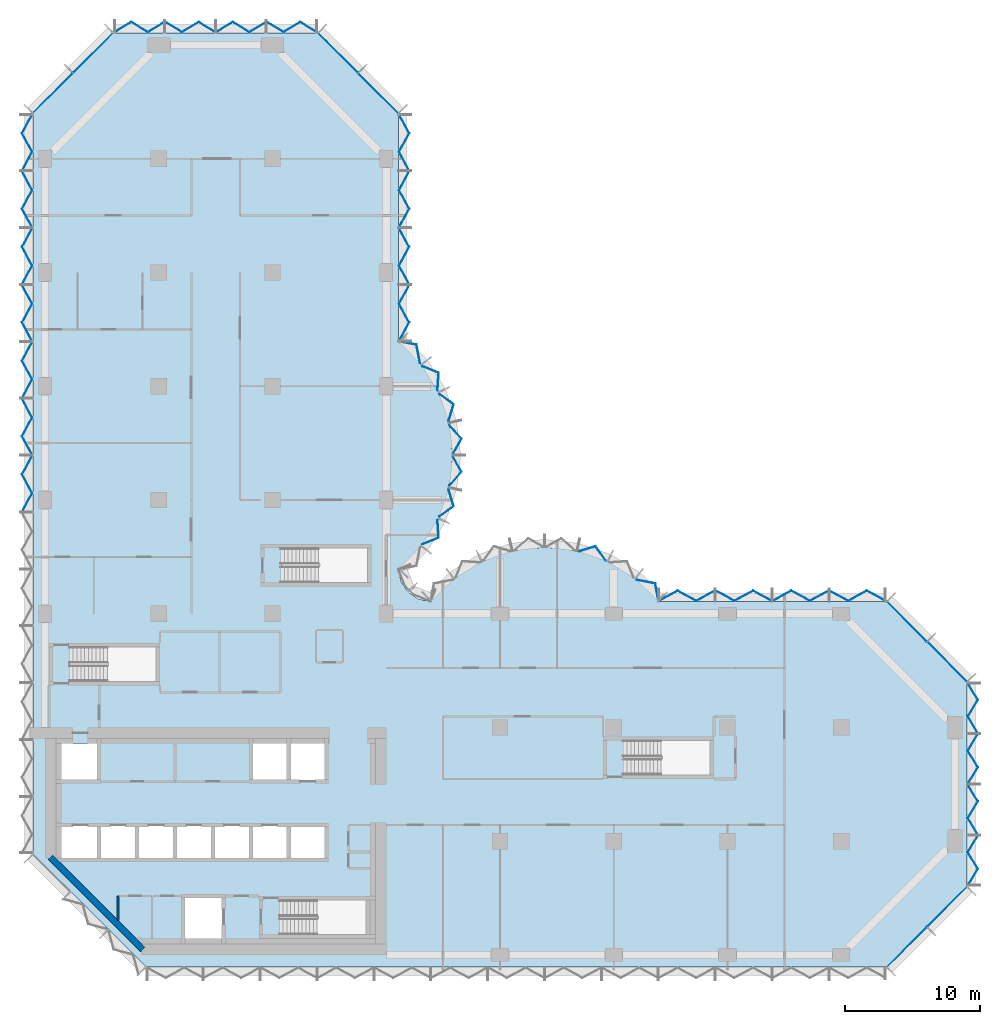
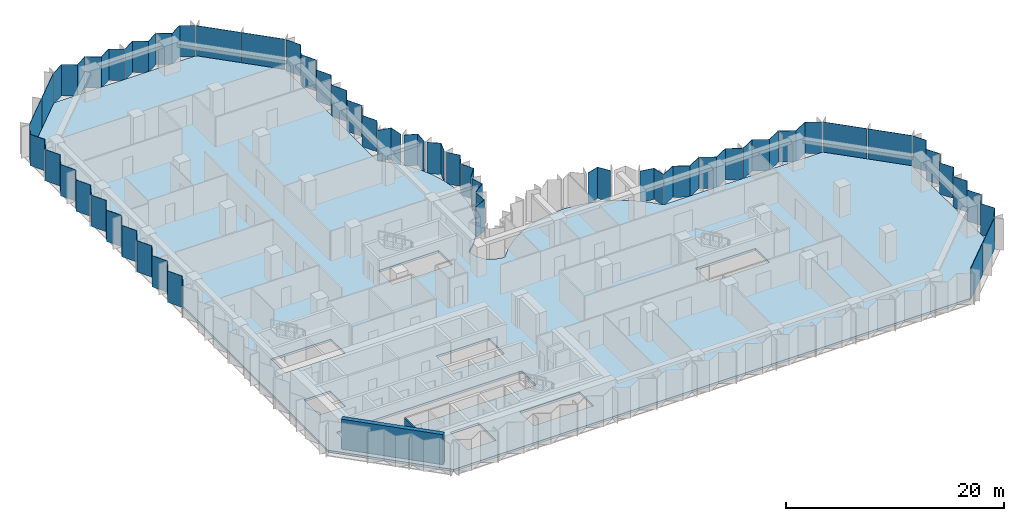
# One storey, part 6 of 13: 40 plates, 2 walls, 1 slab, 11 elements without a shape of their own.
"""IFC4 building model written with IfcOpenShell, lengths in metres."""

from ifc_helpers import new_model, si_unit, direction, frame, frame_2d, origin, place, context, subcontext, project, spatial, polyline, rectangle, outline, extrude, material, layer, layer_set, type_object, element, aggregate, save


model = new_model("IFC4")

# Units and contexts
model_context = context("Model", 3, precision=1e-05, world=origin(), true_north=direction((0.0, 1.0)))
body_context = subcontext(model_context, "Body", "Model", "MODEL_VIEW")
ifc_project = project(units=[si_unit("LENGTHUNIT", "METRE"), si_unit("AREAUNIT", "SQUARE_METRE"), si_unit("VOLUMEUNIT", "CUBIC_METRE"), si_unit("PLANEANGLEUNIT", "RADIAN"), si_unit("MASSUNIT", "GRAM", prefix="KILO")], contexts=[model_context])

# Site, building, storey
site_placement = place(None, origin())
site = spatial("IfcSite", under=ifc_project, at=site_placement, CompositionType="ELEMENT")
building_placement = place(site_placement, origin())
building = spatial("IfcBuilding", under=site, at=building_placement, Name="Brevane Broadcast Tower", CompositionType="ELEMENT")
storey_placement = place(building_placement, frame((0.0, 0.0, 113.300048828125)))
storey = spatial("IfcBuildingStorey", under=building, at=storey_placement, Name="L27", CompositionType="ELEMENT", Elevation=113.300048828125)

# Curtain wall, plates
ifc_material_1 = material(Name="Aluminium 6063-T6 bronze anodised", Category="aluminium")
curtain_wall_type = type_object("IfcCurtainWallType", Name="CW-1 curtain wall", PredefinedType="NOTDEFINED", material=ifc_material_1)
curtain_wall_1_placement = place(storey_placement, origin())
curtain_wall_1 = element("IfcCurtainWall", 1, at=curtain_wall_1_placement, inside=storey, type_object=curtain_wall_type, Name="CW-1 typical tilted unit L27 south-east chamfer", PredefinedType="NOTDEFINED")
ifc_material_2 = material(Name="Laminated glass bronze-tinted", Category="glass")
ifc_layer_1 = layer(ifc_material_2, 0.0400390625)
ifc_layer_set_1 = layer_set([ifc_layer_1], Name="CW tall glass panel 40")
plate_type = type_object("IfcPlateType", Name="CW tall glass panel 40", PredefinedType="CURTAIN_PANEL", material=ifc_layer_set_1)
plate_1_placement = place(storey_placement, frame((0.0, 0.0, -0.150146484375)))
plate_1 = element("IfcPlate", 2, at=plate_1_placement, type_object=plate_type, Name="CW-1 glass panel", PredefinedType="CURTAIN_PANEL", context=body_context, shape_type="SweptSolid", body=[
    extrude(outline(polyline([(62.14599609375, -0.896484375), (65.096435546875, 2.053955078125), (65.124755859375, 2.02587890625), (62.17431640625, -0.9248046875), (62.14599609375, -0.896484375)])), origin(), (0.0, 0.0, 1.0), 3.5),
])
plate_2_placement = place(storey_placement, frame((0.0, 0.0, -0.150146484375)))
plate_2 = element("IfcPlate", 3, at=plate_2_placement, type_object=plate_type, Name="CW-1 glass panel", PredefinedType="CURTAIN_PANEL", context=body_context, shape_type="SweptSolid", body=[
    extrude(outline(polyline([(65.14599609375, 2.103515625), (68.096435546875, 5.053955078125), (68.124755859375, 5.02587890625), (65.17431640625, 2.0751953125), (65.14599609375, 2.103515625)])), origin(), (0.0, 0.0, 1.0), 3.5),
])
aggregate(curtain_wall_1, [plate_1, plate_2])

curtain_wall_2_placement = place(storey_placement, origin())
curtain_wall_2 = element("IfcCurtainWall", 4, at=curtain_wall_2_placement, inside=storey, type_object=curtain_wall_type, Name="CW-1 typical tilted unit L27 east end", PredefinedType="NOTDEFINED")
plate_3_placement = place(storey_placement, frame((0.0, 0.0, -0.150146484375)))
plate_3 = element("IfcPlate", 5, at=plate_3_placement, type_object=plate_type, Name="CW-1 glass panel", PredefinedType="CURTAIN_PANEL", context=body_context, shape_type="SweptSolid", body=[
    extrude(outline(polyline([(68.126708984375, 5.135009765625), (68.17333984375, 5.135009765625), (68.917724609375, 6.36181640625), (68.17333984375, 7.58837890625), (68.917724609375, 8.81494140625), (68.87109375, 8.81494140625), (68.126708984375, 7.58837890625), (68.87109375, 6.36181640625), (68.126708984375, 5.135009765625)])), origin(), (0.0, 0.0, 1.0), 3.5),
])
plate_4_placement = place(storey_placement, frame((0.0, 0.0, -0.150146484375)))
plate_4 = element("IfcPlate", 6, at=plate_4_placement, type_object=plate_type, Name="CW-1 glass panel", PredefinedType="CURTAIN_PANEL", context=body_context, shape_type="SweptSolid", body=[
    extrude(outline(polyline([(68.87109375, 8.885009765625), (68.917724609375, 8.885009765625), (68.17333984375, 10.11181640625), (68.917724609375, 11.33837890625), (68.17333984375, 12.56494140625), (68.126708984375, 12.56494140625), (68.87109375, 11.33837890625), (68.126708984375, 10.11181640625), (68.87109375, 8.885009765625)])), origin(), (0.0, 0.0, 1.0), 3.5),
])
plate_5_placement = place(storey_placement, frame((0.0, 0.0, -0.150146484375)))
plate_5 = element("IfcPlate", 7, at=plate_5_placement, type_object=plate_type, Name="CW-1 glass panel", PredefinedType="CURTAIN_PANEL", context=body_context, shape_type="SweptSolid", body=[
    extrude(outline(polyline([(68.126708984375, 12.635009765625), (68.17333984375, 12.635009765625), (68.917724609375, 13.86181640625), (68.17333984375, 15.08837890625), (68.917724609375, 16.31494140625), (68.87109375, 16.31494140625), (68.126708984375, 15.08837890625), (68.87109375, 13.86181640625), (68.126708984375, 12.635009765625)])), origin(), (0.0, 0.0, 1.0), 3.5),
])
plate_6_placement = place(storey_placement, frame((0.0, 0.0, -0.150146484375)))
plate_6 = element("IfcPlate", 8, at=plate_6_placement, type_object=plate_type, Name="CW-1 glass panel", PredefinedType="CURTAIN_PANEL", context=body_context, shape_type="SweptSolid", body=[
    extrude(outline(polyline([(68.87109375, 16.385009765625), (68.917724609375, 16.385009765625), (68.17333984375, 17.61181640625), (68.917724609375, 18.83837890625), (68.17333984375, 20.06494140625), (68.126708984375, 20.06494140625), (68.87109375, 18.83837890625), (68.126708984375, 17.61181640625), (68.87109375, 16.385009765625)])), origin(), (0.0, 0.0, 1.0), 3.5),
])
aggregate(curtain_wall_2, [plate_3, plate_4, plate_5, plate_6])

curtain_wall_3_placement = place(storey_placement, origin())
curtain_wall_3 = element("IfcCurtainWall", 9, at=curtain_wall_3_placement, inside=storey, type_object=curtain_wall_type, Name="CW-1 typical tilted unit L27 north-east chamfer", PredefinedType="NOTDEFINED")
plate_7_placement = place(storey_placement, frame((0.0, 0.0, -0.150146484375)))
plate_7 = element("IfcPlate", 10, at=plate_7_placement, type_object=plate_type, Name="CW-1 glass panel", PredefinedType="CURTAIN_PANEL", context=body_context, shape_type="SweptSolid", body=[
    extrude(outline(polyline([(68.096435546875, 20.14599609375), (65.14599609375, 23.096435546875), (65.17431640625, 23.124755859375), (68.124755859375, 20.17431640625), (68.096435546875, 20.14599609375)])), origin(), (0.0, 0.0, 1.0), 3.5),
])
plate_8_placement = place(storey_placement, frame((0.0, 0.0, -0.150146484375)))
plate_8 = element("IfcPlate", 11, at=plate_8_placement, type_object=plate_type, Name="CW-1 glass panel", PredefinedType="CURTAIN_PANEL", context=body_context, shape_type="SweptSolid", body=[
    extrude(outline(polyline([(65.096435546875, 23.14599609375), (62.14599609375, 26.096435546875), (62.17431640625, 26.124755859375), (65.124755859375, 23.17431640625), (65.096435546875, 23.14599609375)])), origin(), (0.0, 0.0, 1.0), 3.5),
])
aggregate(curtain_wall_3, [plate_7, plate_8])

curtain_wall_4_placement = place(storey_placement, origin())
curtain_wall_4 = element("IfcCurtainWall", 12, at=curtain_wall_4_placement, inside=storey, type_object=curtain_wall_type, Name="CW-1 typical tilted unit L27 east arm north face", PredefinedType="NOTDEFINED")
plate_9_placement = place(storey_placement, frame((0.0, 0.0, -0.150146484375)))
plate_9 = element("IfcPlate", 13, at=plate_9_placement, type_object=plate_type, Name="CW-1 glass panel", PredefinedType="CURTAIN_PANEL", context=body_context, shape_type="SweptSolid", body=[
    extrude(outline(polyline([(62.06494140625, 26.127197265625), (62.06494140625, 26.172607421875), (60.688232421875, 26.9169921875), (59.311767578125, 26.172607421875), (57.93505859375, 26.9169921875), (57.93505859375, 26.87158203125), (59.311767578125, 26.127197265625), (60.688232421875, 26.87158203125), (62.06494140625, 26.127197265625)])), origin(), (0.0, 0.0, 1.0), 3.5),
])
plate_10_placement = place(storey_placement, frame((0.0, 0.0, -0.150146484375)))
plate_10 = element("IfcPlate", 14, at=plate_10_placement, type_object=plate_type, Name="CW-1 glass panel", PredefinedType="CURTAIN_PANEL", context=body_context, shape_type="SweptSolid", body=[
    extrude(outline(polyline([(57.864990234375, 26.87158203125), (57.864990234375, 26.9169921875), (56.48828125, 26.172607421875), (55.11181640625, 26.9169921875), (53.735107421875, 26.172607421875), (53.735107421875, 26.127197265625), (55.11181640625, 26.87158203125), (56.48828125, 26.127197265625), (57.864990234375, 26.87158203125)])), origin(), (0.0, 0.0, 1.0), 3.5),
])
plate_11_placement = place(storey_placement, frame((0.0, 0.0, -0.150146484375)))
plate_11 = element("IfcPlate", 15, at=plate_11_placement, type_object=plate_type, Name="CW-1 glass panel", PredefinedType="CURTAIN_PANEL", context=body_context, shape_type="SweptSolid", body=[
    extrude(outline(polyline([(53.6650390625, 26.127197265625), (53.6650390625, 26.172607421875), (52.288330078125, 26.9169921875), (50.91162109375, 26.172607421875), (49.534912109375, 26.9169921875), (49.534912109375, 26.87158203125), (50.91162109375, 26.127197265625), (52.288330078125, 26.87158203125), (53.6650390625, 26.127197265625)])), origin(), (0.0, 0.0, 1.0), 3.5),
])
plate_12_placement = place(storey_placement, frame((0.0, 0.0, -0.150146484375)))
plate_12 = element("IfcPlate", 16, at=plate_12_placement, type_object=plate_type, Name="CW-1 glass panel", PredefinedType="CURTAIN_PANEL", context=body_context, shape_type="SweptSolid", body=[
    extrude(outline(polyline([(49.465087890625, 26.87158203125), (49.465087890625, 26.9169921875), (48.08837890625, 26.172607421875), (46.711669921875, 26.9169921875), (45.3349609375, 26.172607421875), (45.3349609375, 26.127197265625), (46.711669921875, 26.87158203125), (48.08837890625, 26.127197265625), (49.465087890625, 26.87158203125)])), origin(), (0.0, 0.0, 1.0), 3.5),
])
aggregate(curtain_wall_4, [plate_9, plate_10, plate_11, plate_12])

curtain_wall_5_placement = place(storey_placement, origin())
curtain_wall_5 = element("IfcCurtainWall", 17, at=curtain_wall_5_placement, inside=storey, type_object=curtain_wall_type, Name="CW-1 typical tilted unit L27 east bow", PredefinedType="NOTDEFINED")
plate_13_placement = place(storey_placement, frame((0.0, 0.0, -0.150146484375)))
plate_13 = element("IfcPlate", 18, at=plate_13_placement, type_object=plate_type, Name="CW-1 glass panel", PredefinedType="CURTAIN_PANEL", context=body_context, shape_type="SweptSolid", body=[
    extrude(outline(polyline([(45.2939453125, 26.14404296875), (45.327880859375, 26.17919921875), (45.086181640625, 27.447265625), (43.738525390625, 27.71142578125), (43.7109375, 27.67626953125), (45.052001953125, 27.4130859375), (45.2939453125, 26.14404296875)])), origin(), (0.0, 0.0, 1.0), 3.5),
])
plate_14_placement = place(storey_placement, frame((0.0, 0.0, -0.150146484375)))
plate_14 = element("IfcPlate", 19, at=plate_14_placement, type_object=plate_type, Name="CW-1 glass panel", PredefinedType="CURTAIN_PANEL", context=body_context, shape_type="SweptSolid", body=[
    extrude(outline(polyline([(41.3994140625, 29.104248046875), (41.4189453125, 29.1455078125), (40.667724609375, 30.20166015625), (39.45068359375, 29.83349609375), (39.440185546875, 29.78857421875), (40.65185546875, 30.155029296875), (41.3994140625, 29.104248046875)])), origin(), (0.0, 0.0, 1.0), 3.5),
])
aggregate(curtain_wall_5, [plate_13, plate_14])

curtain_wall_6_placement = place(storey_placement, origin())
curtain_wall_6 = element("IfcCurtainWall", 20, at=curtain_wall_6_placement, inside=storey, type_object=curtain_wall_type, Name="CW-1 typical tilted unit L27 north bow", PredefinedType="NOTDEFINED")
plate_15_placement = place(storey_placement, frame((0.0, 0.0, -0.150146484375)))
plate_15 = element("IfcPlate", 21, at=plate_15_placement, type_object=plate_type, Name="CW-1 glass panel", PredefinedType="CURTAIN_PANEL", context=body_context, shape_type="SweptSolid", body=[
    extrude(outline(polyline([(27.8759765625, 30.343017578125), (27.912109375, 30.314697265625), (29.089111328125, 30.7958984375), (29.006591796875, 32.08935546875), (28.96533203125, 32.10888671875), (29.04736328125, 30.822265625), (27.8759765625, 30.343017578125)])), origin(), (0.0, 0.0, 1.0), 3.5),
])
plate_16_placement = place(storey_placement, frame((0.0, 0.0, -0.150146484375)))
plate_16 = element("IfcPlate", 22, at=plate_16_placement, type_object=plate_type, Name="CW-1 glass panel", PredefinedType="CURTAIN_PANEL", context=body_context, shape_type="SweptSolid", body=[
    extrude(outline(polyline([(29.104248046875, 32.400634765625), (29.1455078125, 32.381103515625), (30.20166015625, 33.132080078125), (29.83349609375, 34.349365234375), (29.78857421875, 34.359619140625), (30.155029296875, 33.148193359375), (29.104248046875, 32.400634765625)])), origin(), (0.0, 0.0, 1.0), 3.5),
])
plate_17_placement = place(storey_placement, frame((0.0, 0.0, -0.150146484375)))
plate_17 = element("IfcPlate", 23, at=plate_17_placement, type_object=plate_type, Name="CW-1 glass panel", PredefinedType="CURTAIN_PANEL", context=body_context, shape_type="SweptSolid", body=[
    extrude(outline(polyline([(29.859619140625, 34.6748046875), (29.903564453125, 34.664794921875), (30.779296875, 35.68310546875), (30.15869140625, 36.7919921875), (30.11279296875, 36.7919921875), (30.730712890625, 35.68798828125), (29.859619140625, 34.6748046875)])), origin(), (0.0, 0.0, 1.0), 3.5),
])
plate_18_placement = place(storey_placement, frame((0.0, 0.0, -0.150146484375)))
plate_18 = element("IfcPlate", 24, at=plate_18_placement, type_object=plate_type, Name="CW-1 glass panel", PredefinedType="CURTAIN_PANEL", context=body_context, shape_type="SweptSolid", body=[
    extrude(outline(polyline([(30.11279296875, 37.008056640625), (30.15869140625, 37.008056640625), (30.779296875, 38.116943359375), (29.903564453125, 39.13525390625), (29.859619140625, 39.125), (30.730712890625, 38.112060546875), (30.11279296875, 37.008056640625)])), origin(), (0.0, 0.0, 1.0), 3.5),
])
plate_19_placement = place(storey_placement, frame((0.0, 0.0, -0.150146484375)))
plate_19 = element("IfcPlate", 25, at=plate_19_placement, type_object=plate_type, Name="CW-1 glass panel", PredefinedType="CURTAIN_PANEL", context=body_context, shape_type="SweptSolid", body=[
    extrude(outline(polyline([(29.78857421875, 39.440185546875), (29.83349609375, 39.45068359375), (30.20166015625, 40.667724609375), (29.1455078125, 41.4189453125), (29.104248046875, 41.3994140625), (30.155029296875, 40.65185546875), (29.78857421875, 39.440185546875)])), origin(), (0.0, 0.0, 1.0), 3.5),
])
plate_20_placement = place(storey_placement, frame((0.0, 0.0, -0.150146484375)))
plate_20 = element("IfcPlate", 26, at=plate_20_placement, type_object=plate_type, Name="CW-1 glass panel", PredefinedType="CURTAIN_PANEL", context=body_context, shape_type="SweptSolid", body=[
    extrude(outline(polyline([(28.96533203125, 41.69091796875), (29.006591796875, 41.710693359375), (29.089111328125, 43.00390625), (27.912109375, 43.4853515625), (27.8759765625, 43.45703125), (29.04736328125, 42.977783203125), (28.96533203125, 41.69091796875)])), origin(), (0.0, 0.0, 1.0), 3.5),
])
plate_21_placement = place(storey_placement, frame((0.0, 0.0, -0.150146484375)))
plate_21 = element("IfcPlate", 27, at=plate_21_placement, type_object=plate_type, Name="CW-1 glass panel", PredefinedType="CURTAIN_PANEL", context=body_context, shape_type="SweptSolid", body=[
    extrude(outline(polyline([(27.67626953125, 43.7109375), (27.71142578125, 43.738525390625), (27.447265625, 45.086181640625), (26.17919921875, 45.327880859375), (26.14404296875, 45.2939453125), (27.4130859375, 45.052001953125), (27.67626953125, 43.7109375)])), origin(), (0.0, 0.0, 1.0), 3.5),
])
aggregate(curtain_wall_6, [plate_15, plate_16, plate_17, plate_18, plate_19, plate_20, plate_21])

curtain_wall_7_placement = place(storey_placement, origin())
curtain_wall_7 = element("IfcCurtainWall", 28, at=curtain_wall_7_placement, inside=storey, type_object=curtain_wall_type, Name="CW-1 typical tilted unit L27 north arm east face", PredefinedType="NOTDEFINED")
plate_22_placement = place(storey_placement, frame((0.0, 0.0, -0.150146484375)))
plate_22 = element("IfcPlate", 29, at=plate_22_placement, type_object=plate_type, Name="CW-1 glass panel", PredefinedType="CURTAIN_PANEL", context=body_context, shape_type="SweptSolid", body=[
    extrude(outline(polyline([(26.127197265625, 45.3349609375), (26.172607421875, 45.3349609375), (26.9169921875, 46.711669921875), (26.172607421875, 48.08837890625), (26.9169921875, 49.465087890625), (26.87158203125, 49.465087890625), (26.127197265625, 48.08837890625), (26.87158203125, 46.711669921875), (26.127197265625, 45.3349609375)])), origin(), (0.0, 0.0, 1.0), 3.5),
])
plate_23_placement = place(storey_placement, frame((0.0, 0.0, -0.150146484375)))
plate_23 = element("IfcPlate", 30, at=plate_23_placement, type_object=plate_type, Name="CW-1 glass panel", PredefinedType="CURTAIN_PANEL", context=body_context, shape_type="SweptSolid", body=[
    extrude(outline(polyline([(26.87158203125, 49.534912109375), (26.9169921875, 49.534912109375), (26.172607421875, 50.91162109375), (26.9169921875, 52.288330078125), (26.172607421875, 53.6650390625), (26.127197265625, 53.6650390625), (26.87158203125, 52.288330078125), (26.127197265625, 50.91162109375), (26.87158203125, 49.534912109375)])), origin(), (0.0, 0.0, 1.0), 3.5),
])
plate_24_placement = place(storey_placement, frame((0.0, 0.0, -0.150146484375)))
plate_24 = element("IfcPlate", 31, at=plate_24_placement, type_object=plate_type, Name="CW-1 glass panel", PredefinedType="CURTAIN_PANEL", context=body_context, shape_type="SweptSolid", body=[
    extrude(outline(polyline([(26.127197265625, 53.735107421875), (26.172607421875, 53.735107421875), (26.9169921875, 55.11181640625), (26.172607421875, 56.48828125), (26.9169921875, 57.864990234375), (26.87158203125, 57.864990234375), (26.127197265625, 56.48828125), (26.87158203125, 55.11181640625), (26.127197265625, 53.735107421875)])), origin(), (0.0, 0.0, 1.0), 3.5),
])
plate_25_placement = place(storey_placement, frame((0.0, 0.0, -0.150146484375)))
plate_25 = element("IfcPlate", 32, at=plate_25_placement, type_object=plate_type, Name="CW-1 glass panel", PredefinedType="CURTAIN_PANEL", context=body_context, shape_type="SweptSolid", body=[
    extrude(outline(polyline([(26.87158203125, 57.93505859375), (26.9169921875, 57.93505859375), (26.172607421875, 59.311767578125), (26.9169921875, 60.688232421875), (26.172607421875, 62.06494140625), (26.127197265625, 62.06494140625), (26.87158203125, 60.688232421875), (26.127197265625, 59.311767578125), (26.87158203125, 57.93505859375)])), origin(), (0.0, 0.0, 1.0), 3.5),
])
aggregate(curtain_wall_7, [plate_22, plate_23, plate_24, plate_25])

curtain_wall_8_placement = place(storey_placement, origin())
curtain_wall_8 = element("IfcCurtainWall", 33, at=curtain_wall_8_placement, inside=storey, type_object=curtain_wall_type, Name="CW-1 typical tilted unit L27 north arm north-east chamfer", PredefinedType="NOTDEFINED")
plate_26_placement = place(storey_placement, frame((0.0, 0.0, -0.150146484375)))
plate_26 = element("IfcPlate", 34, at=plate_26_placement, type_object=plate_type, Name="CW-1 glass panel", PredefinedType="CURTAIN_PANEL", context=body_context, shape_type="SweptSolid", body=[
    extrude(outline(polyline([(26.096435546875, 62.14599609375), (23.14599609375, 65.096435546875), (23.17431640625, 65.124755859375), (26.124755859375, 62.17431640625), (26.096435546875, 62.14599609375)])), origin(), (0.0, 0.0, 1.0), 3.5),
])
plate_27_placement = place(storey_placement, frame((0.0, 0.0, -0.150146484375)))
plate_27 = element("IfcPlate", 35, at=plate_27_placement, type_object=plate_type, Name="CW-1 glass panel", PredefinedType="CURTAIN_PANEL", context=body_context, shape_type="SweptSolid", body=[
    extrude(outline(polyline([(23.096435546875, 65.14599609375), (20.14599609375, 68.096435546875), (20.17431640625, 68.124755859375), (23.124755859375, 65.17431640625), (23.096435546875, 65.14599609375)])), origin(), (0.0, 0.0, 1.0), 3.5),
])
aggregate(curtain_wall_8, [plate_26, plate_27])

curtain_wall_9_placement = place(storey_placement, origin())
curtain_wall_9 = element("IfcCurtainWall", 36, at=curtain_wall_9_placement, inside=storey, type_object=curtain_wall_type, Name="CW-1 typical tilted unit L27 north end", PredefinedType="NOTDEFINED")
plate_28_placement = place(storey_placement, frame((0.0, 0.0, -0.150146484375)))
plate_28 = element("IfcPlate", 37, at=plate_28_placement, type_object=plate_type, Name="CW-1 glass panel", PredefinedType="CURTAIN_PANEL", context=body_context, shape_type="SweptSolid", body=[
    extrude(outline(polyline([(20.06494140625, 68.126708984375), (20.06494140625, 68.17333984375), (18.83837890625, 68.917724609375), (17.61181640625, 68.17333984375), (16.385009765625, 68.917724609375), (16.385009765625, 68.87109375), (17.61181640625, 68.126708984375), (18.83837890625, 68.87109375), (20.06494140625, 68.126708984375)])), origin(), (0.0, 0.0, 1.0), 3.5),
])
plate_29_placement = place(storey_placement, frame((0.0, 0.0, -0.150146484375)))
plate_29 = element("IfcPlate", 38, at=plate_29_placement, type_object=plate_type, Name="CW-1 glass panel", PredefinedType="CURTAIN_PANEL", context=body_context, shape_type="SweptSolid", body=[
    extrude(outline(polyline([(16.31494140625, 68.87109375), (16.31494140625, 68.917724609375), (15.08837890625, 68.17333984375), (13.86181640625, 68.917724609375), (12.635009765625, 68.17333984375), (12.635009765625, 68.126708984375), (13.86181640625, 68.87109375), (15.08837890625, 68.126708984375), (16.31494140625, 68.87109375)])), origin(), (0.0, 0.0, 1.0), 3.5),
])
plate_30_placement = place(storey_placement, frame((0.0, 0.0, -0.150146484375)))
plate_30 = element("IfcPlate", 39, at=plate_30_placement, type_object=plate_type, Name="CW-1 glass panel", PredefinedType="CURTAIN_PANEL", context=body_context, shape_type="SweptSolid", body=[
    extrude(outline(polyline([(12.56494140625, 68.126708984375), (12.56494140625, 68.17333984375), (11.33837890625, 68.917724609375), (10.11181640625, 68.17333984375), (8.885009765625, 68.917724609375), (8.885009765625, 68.87109375), (10.11181640625, 68.126708984375), (11.33837890625, 68.87109375), (12.56494140625, 68.126708984375)])), origin(), (0.0, 0.0, 1.0), 3.5),
])
plate_31_placement = place(storey_placement, frame((0.0, 0.0, -0.150146484375)))
plate_31 = element("IfcPlate", 40, at=plate_31_placement, type_object=plate_type, Name="CW-1 glass panel", PredefinedType="CURTAIN_PANEL", context=body_context, shape_type="SweptSolid", body=[
    extrude(outline(polyline([(8.81494140625, 68.87109375), (8.81494140625, 68.917724609375), (7.58837890625, 68.17333984375), (6.36181640625, 68.917724609375), (5.135009765625, 68.17333984375), (5.135009765625, 68.126708984375), (6.36181640625, 68.87109375), (7.58837890625, 68.126708984375), (8.81494140625, 68.87109375)])), origin(), (0.0, 0.0, 1.0), 3.5),
])
aggregate(curtain_wall_9, [plate_28, plate_29, plate_30, plate_31])

curtain_wall_10_placement = place(storey_placement, origin())
curtain_wall_10 = element("IfcCurtainWall", 41, at=curtain_wall_10_placement, inside=storey, type_object=curtain_wall_type, Name="CW-1 typical tilted unit L27 north-west chamfer", PredefinedType="NOTDEFINED")
plate_32_placement = place(storey_placement, frame((0.0, 0.0, -0.150146484375)))
plate_32 = element("IfcPlate", 42, at=plate_32_placement, type_object=plate_type, Name="CW-1 glass panel", PredefinedType="CURTAIN_PANEL", context=body_context, shape_type="SweptSolid", body=[
    extrude(outline(polyline([(5.053955078125, 68.096435546875), (2.103515625, 65.14599609375), (2.0751953125, 65.17431640625), (5.02587890625, 68.124755859375), (5.053955078125, 68.096435546875)])), origin(), (0.0, 0.0, 1.0), 3.5),
])
plate_33_placement = place(storey_placement, frame((0.0, 0.0, -0.150146484375)))
plate_33 = element("IfcPlate", 43, at=plate_33_placement, type_object=plate_type, Name="CW-1 glass panel", PredefinedType="CURTAIN_PANEL", context=body_context, shape_type="SweptSolid", body=[
    extrude(outline(polyline([(2.053955078125, 65.096435546875), (-0.896484375, 62.14599609375), (-0.9248046875, 62.17431640625), (2.02587890625, 65.124755859375), (2.053955078125, 65.096435546875)])), origin(), (0.0, 0.0, 1.0), 3.5),
])
aggregate(curtain_wall_10, [plate_32, plate_33])

curtain_wall_11_placement = place(storey_placement, origin())
curtain_wall_11 = element("IfcCurtainWall", 44, at=curtain_wall_11_placement, inside=storey, type_object=curtain_wall_type, Name="CW-1 typical tilted unit L27 west face", PredefinedType="NOTDEFINED")
plate_34_placement = place(storey_placement, frame((0.0, 0.0, -0.150146484375)))
plate_34 = element("IfcPlate", 45, at=plate_34_placement, type_object=plate_type, Name="CW-1 glass panel", PredefinedType="CURTAIN_PANEL", context=body_context, shape_type="SweptSolid", body=[
    extrude(outline(polyline([(-0.92724609375, 62.06494140625), (-0.97265625, 62.06494140625), (-1.717041015625, 60.688232421875), (-0.97265625, 59.311767578125), (-1.717041015625, 57.93505859375), (-1.671630859375, 57.93505859375), (-0.92724609375, 59.311767578125), (-1.671630859375, 60.688232421875), (-0.92724609375, 62.06494140625)])), origin(), (0.0, 0.0, 1.0), 3.5),
])
plate_35_placement = place(storey_placement, frame((0.0, 0.0, -0.150146484375)))
plate_35 = element("IfcPlate", 46, at=plate_35_placement, type_object=plate_type, Name="CW-1 glass panel", PredefinedType="CURTAIN_PANEL", context=body_context, shape_type="SweptSolid", body=[
    extrude(outline(polyline([(-1.671630859375, 57.864990234375), (-1.717041015625, 57.864990234375), (-0.97265625, 56.48828125), (-1.717041015625, 55.11181640625), (-0.97265625, 53.735107421875), (-0.92724609375, 53.735107421875), (-1.671630859375, 55.11181640625), (-0.92724609375, 56.48828125), (-1.671630859375, 57.864990234375)])), origin(), (0.0, 0.0, 1.0), 3.5),
])
plate_36_placement = place(storey_placement, frame((0.0, 0.0, -0.150146484375)))
plate_36 = element("IfcPlate", 47, at=plate_36_placement, type_object=plate_type, Name="CW-1 glass panel", PredefinedType="CURTAIN_PANEL", context=body_context, shape_type="SweptSolid", body=[
    extrude(outline(polyline([(-0.92724609375, 53.6650390625), (-0.97265625, 53.6650390625), (-1.717041015625, 52.288330078125), (-0.97265625, 50.91162109375), (-1.717041015625, 49.534912109375), (-1.671630859375, 49.534912109375), (-0.92724609375, 50.91162109375), (-1.671630859375, 52.288330078125), (-0.92724609375, 53.6650390625)])), origin(), (0.0, 0.0, 1.0), 3.5),
])
plate_37_placement = place(storey_placement, frame((0.0, 0.0, -0.150146484375)))
plate_37 = element("IfcPlate", 48, at=plate_37_placement, type_object=plate_type, Name="CW-1 glass panel", PredefinedType="CURTAIN_PANEL", context=body_context, shape_type="SweptSolid", body=[
    extrude(outline(polyline([(-1.671630859375, 49.465087890625), (-1.717041015625, 49.465087890625), (-0.97265625, 48.08837890625), (-1.717041015625, 46.711669921875), (-0.97265625, 45.3349609375), (-0.92724609375, 45.3349609375), (-1.671630859375, 46.711669921875), (-0.92724609375, 48.08837890625), (-1.671630859375, 49.465087890625)])), origin(), (0.0, 0.0, 1.0), 3.5),
])
plate_38_placement = place(storey_placement, frame((0.0, 0.0, -0.150146484375)))
plate_38 = element("IfcPlate", 49, at=plate_38_placement, type_object=plate_type, Name="CW-1 glass panel", PredefinedType="CURTAIN_PANEL", context=body_context, shape_type="SweptSolid", body=[
    extrude(outline(polyline([(-0.92724609375, 45.264892578125), (-0.97265625, 45.264892578125), (-1.717041015625, 43.88818359375), (-0.97265625, 42.51171875), (-1.717041015625, 41.135009765625), (-1.671630859375, 41.135009765625), (-0.92724609375, 42.51171875), (-1.671630859375, 43.88818359375), (-0.92724609375, 45.264892578125)])), origin(), (0.0, 0.0, 1.0), 3.5),
])
plate_39_placement = place(storey_placement, frame((0.0, 0.0, -0.150146484375)))
plate_39 = element("IfcPlate", 50, at=plate_39_placement, type_object=plate_type, Name="CW-1 glass panel", PredefinedType="CURTAIN_PANEL", context=body_context, shape_type="SweptSolid", body=[
    extrude(outline(polyline([(-1.671630859375, 41.06494140625), (-1.717041015625, 41.06494140625), (-0.97265625, 39.688232421875), (-1.717041015625, 38.311767578125), (-0.97265625, 36.93505859375), (-0.92724609375, 36.93505859375), (-1.671630859375, 38.311767578125), (-0.92724609375, 39.688232421875), (-1.671630859375, 41.06494140625)])), origin(), (0.0, 0.0, 1.0), 3.5),
])
plate_40_placement = place(storey_placement, frame((0.0, 0.0, -0.150146484375)))
plate_40 = element("IfcPlate", 51, at=plate_40_placement, type_object=plate_type, Name="CW-1 glass panel", PredefinedType="CURTAIN_PANEL", context=body_context, shape_type="SweptSolid", body=[
    extrude(outline(polyline([(-0.92724609375, 36.864990234375), (-0.97265625, 36.864990234375), (-1.717041015625, 35.48828125), (-0.97265625, 34.11181640625), (-1.717041015625, 32.735107421875), (-1.671630859375, 32.735107421875), (-0.92724609375, 34.11181640625), (-1.671630859375, 35.48828125), (-0.92724609375, 36.864990234375)])), origin(), (0.0, 0.0, 1.0), 3.5),
])
aggregate(curtain_wall_11, [plate_34, plate_35, plate_36, plate_37, plate_38, plate_39, plate_40])

# Slab
ifc_material_3 = material(Name="Concrete C40/50", Category="concrete")
ifc_layer_2 = layer(ifc_material_3, 0.25)
ifc_layer_set_2 = layer_set([ifc_layer_2], Name="RC FLOOR SLAB 250 C40/50")
slab_type = type_object("IfcSlabType", Name="RC FLOOR SLAB 250 C40/50", PredefinedType="FLOOR", material=ifc_layer_set_2)
slab_placement = place(storey_placement, frame((0.0, 0.0, -0.25)))
element("IfcSlab", 52, at=slab_placement, inside=storey, type_object=slab_type, Name="SL250 L27", PredefinedType="FLOOR", context=body_context, shape_type="SweptSolid", body=[
    extrude(outline(polyline([(-0.89990234375, 7.5), (-0.89990234375, 62.10009765625), (5.10009765625, 68.10009765625), (20.10009765625, 68.10009765625), (26.10009765625, 62.10009765625), (26.10009765625, 45.300048828125), (27.10888671875, 44.36865234375), (27.99169921875, 43.317138671875), (28.734130859375, 42.162353515625), (29.324462890625, 40.922607421875), (29.7529296875, 39.618408203125), (30.012939453125, 38.270263671875), (30.10009765625, 36.89990234375), (30.012939453125, 35.52978515625), (29.7529296875, 34.181640625), (29.324462890625, 32.877197265625), (28.734130859375, 31.6376953125), (27.99169921875, 30.48291015625), (27.10888671875, 29.431396484375), (26.10009765625, 28.5), (26.28271484375, 27.58154296875), (26.802978515625, 26.802978515625), (27.58154296875, 26.28271484375), (28.5, 26.10009765625), (29.431396484375, 27.10888671875), (30.48291015625, 27.99169921875), (31.6376953125, 28.734130859375), (32.877197265625, 29.324462890625), (34.181640625, 29.7529296875), (35.52978515625, 30.012939453125), (36.89990234375, 30.10009765625), (38.270263671875, 30.012939453125), (39.618408203125, 29.7529296875), (40.922607421875, 29.324462890625), (42.162353515625, 28.734130859375), (43.317138671875, 27.99169921875), (44.36865234375, 27.10888671875), (45.300048828125, 26.10009765625), (62.10009765625, 26.10009765625), (68.10009765625, 20.10009765625), (68.10009765625, 5.10009765625), (62.10009765625, -0.89990234375), (7.5, -0.89990234375), (-0.89990234375, 7.5)]), holes=[polyline([(13.199951171875, 4.39990234375), (10.199951171875, 4.39990234375), (10.199951171875, 1.199951171875), (13.199951171875, 1.199951171875), (13.199951171875, 4.39990234375)]), polyline([(4.0, 9.60009765625), (1.199951171875, 9.60009765625), (1.199951171875, 7.0), (4.0, 7.0), (6.800048828125, 7.0), (9.60009765625, 7.0), (12.39990234375, 7.0), (15.199951171875, 7.0), (18.0, 7.0), (20.800048828125, 7.0), (20.800048828125, 9.60009765625), (18.0, 9.60009765625), (15.199951171875, 9.60009765625), (12.39990234375, 9.60009765625), (9.60009765625, 9.60009765625), (6.800048828125, 9.60009765625), (4.0, 9.60009765625)]), polyline([(4.0, 12.800048828125), (4.0, 15.60009765625), (1.199951171875, 15.60009765625), (1.199951171875, 12.800048828125), (4.0, 12.800048828125)]), polyline([(8.199951171875, 22.75), (1.860107421875, 22.75), (1.860107421875, 20.199951171875), (8.199951171875, 20.199951171875), (8.199951171875, 22.75)]), polyline([(23.699951171875, 4.050048828125), (17.360107421875, 4.050048828125), (17.360107421875, 1.5), (23.699951171875, 1.5), (23.699951171875, 4.050048828125)]), polyline([(18.0, 15.60009765625), (15.199951171875, 15.60009765625), (15.199951171875, 12.800048828125), (18.0, 12.800048828125), (20.800048828125, 12.800048828125), (20.800048828125, 15.60009765625), (18.0, 15.60009765625)]), polyline([(49.10009765625, 15.85009765625), (42.760009765625, 15.85009765625), (42.760009765625, 13.300048828125), (49.10009765625, 13.300048828125), (49.10009765625, 15.85009765625)]), polyline([(23.800048828125, 30.050048828125), (17.4599609375, 30.050048828125), (17.4599609375, 27.5), (23.800048828125, 27.5), (23.800048828125, 30.050048828125)])]), origin(), (0.0, 0.0, 1.0), 0.25),
])

# Walls
ifc_material_4 = material(Name="Gypsum board on steel studs", Category="steel")
ifc_layer_3 = layer(ifc_material_4, 0.14990234375)
ifc_layer_set_3 = layer_set([ifc_layer_3], Name="Core fire partition 150 mm")
wall_type_1 = type_object("IfcWallType", Name="Core fire partition 150 mm", PredefinedType="PARTITIONING", material=ifc_layer_set_3)
wall_1_placement = place(storey_placement, frame((5.39990234375, 2.553466796875, 0.0), z_axis=(0.0, 0.0, 1.0), x_axis=(0.0, 1.0, 0.0)))
element("IfcWall", 53, at=wall_1_placement, inside=storey, type_object=wall_type_1, Name="L27 partition wall P10", PredefinedType="PARTITIONING", context=body_context, shape_type="SweptSolid", body=[
    extrude(rectangle(XDim=1.796630859375, YDim=0.14990234375, at=frame_2d((0.8984375, 0.0))), origin(), (0.0, 0.0, 1.0), 3.349853515625),
])
ifc_material_5 = material(Name="Concrete C60/75", Category="concrete")
ifc_layer_4 = layer(ifc_material_5, 0.449951171875)
ifc_layer_set_4 = layer_set([ifc_layer_4], Name="Core wall 450 mm C60/75")
wall_type_2 = type_object("IfcWallType", Name="Core wall 450 mm C60/75", PredefinedType="SHEAR", material=ifc_layer_set_4)
wall_2_placement = place(storey_placement, frame((0.39990234375, 7.21826171875, 0.0), z_axis=(0.0, 0.0, 1.0), x_axis=(0.707106781187, -0.707106781187, 0.0)))
element("IfcWall", 54, at=wall_2_placement, inside=storey, type_object=wall_type_2, Name="L27 outer wall WC", PredefinedType="SHEAR", context=body_context, shape_type="SweptSolid", body=[
    extrude(rectangle(XDim=9.642578125, YDim=0.449951171875, at=frame_2d((4.8212890625, 0.0))), origin(), (0.0, 0.0, 1.0), 3.349853515625),
])

save(model, "model.ifc")
